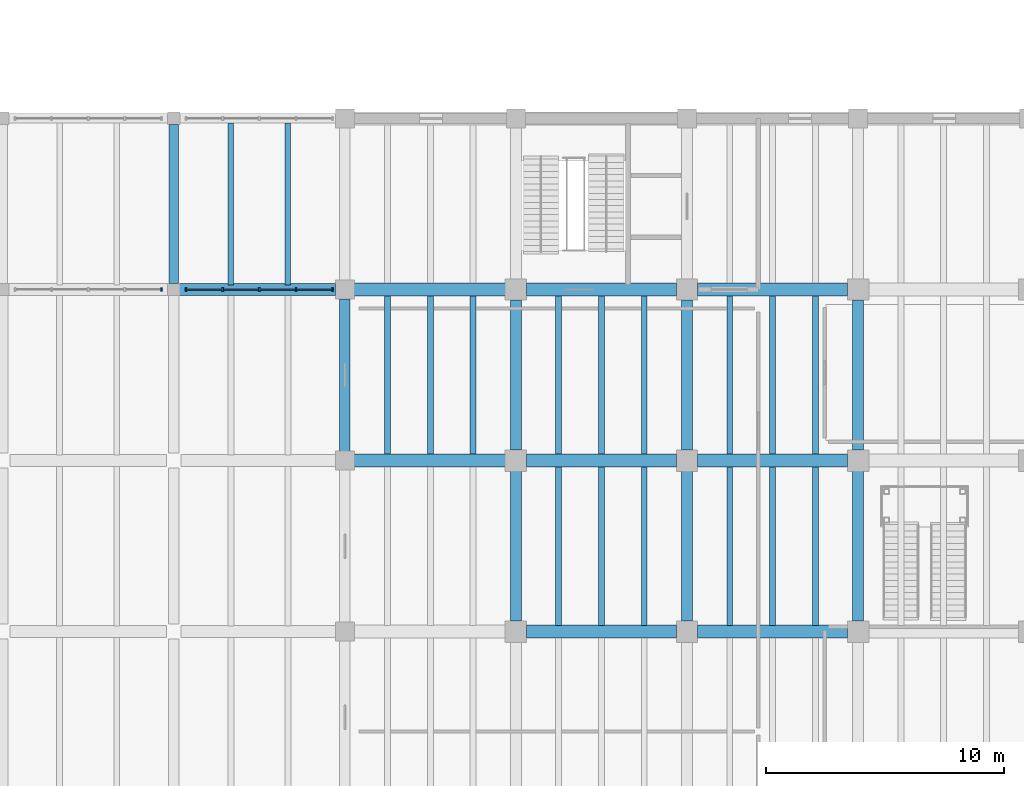
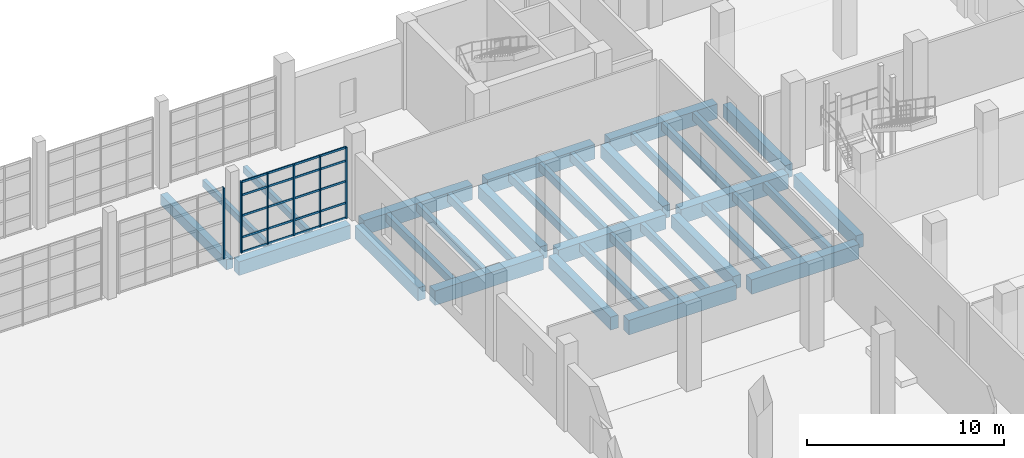
# One storey, part 45 of 79: 34 beams, 26 members, 2 elements without a shape of their own.
"""IFC4 building model written with IfcOpenShell, lengths in metres."""

from ifc_helpers import new_model, si_unit, direction, frame, origin, origin_2d, place, context, subcontext, project, spatial, rectangle, extrude, material, material_profile, profile_set, type_object, element, aggregate, save


model = new_model("IFC4")

# Units and contexts
model_context = context("Model", 3, precision=1e-05, world=origin(), true_north=direction((0.0, 1.0)))
body_context = subcontext(model_context, "Body", "Model", "MODEL_VIEW")
ifc_project = project(units=[si_unit("LENGTHUNIT", "METRE"), si_unit("AREAUNIT", "SQUARE_METRE"), si_unit("VOLUMEUNIT", "CUBIC_METRE"), si_unit("PLANEANGLEUNIT", "RADIAN"), si_unit("MASSUNIT", "GRAM", prefix="KILO")], contexts=[model_context])

# Site, building, storey
site_placement = place(None, origin())
site = spatial("IfcSite", under=ifc_project, at=site_placement, CompositionType="ELEMENT")
building_placement = place(site_placement, origin())
building = spatial("IfcBuilding", under=site, at=building_placement, Name="Qiaolan Assembly House", CompositionType="ELEMENT")
storey_placement = place(building_placement, origin())
storey = spatial("IfcBuildingStorey", under=building, at=storey_placement, Name="L00", CompositionType="ELEMENT", Elevation=0.0)

# Beams
ifc_material_1 = material(Name="Concrete C40/50", Category="concrete")
ifc_material_profile_1 = material_profile(ifc_material_1, rectangle(XDim=0.39990234375, YDim=0.64990234375, at=origin_2d()), Name="RCB 400x650")
ifc_profile_set_1 = profile_set([ifc_material_profile_1], Name="Concrete C40/50")
beam_type_1 = type_object("IfcBeamType", Name="BM-RC-400x650", PredefinedType="BEAM", material=ifc_profile_set_1)
beam_1_placement = place(storey_placement, frame((129.60009765625, 79.449951171875, -0.6650390625), z_axis=(0.0, 1.0, 0.0), x_axis=(-1.0, 0.0, 0.0)))
element("IfcBeam", 1, at=beam_1_placement, inside=storey, type_object=beam_type_1, Name="GB-06 beam BMY-CLN-L00-03-00", PredefinedType="BEAM", context=body_context, shape_type="SweptSolid", body=[
    extrude(rectangle(XDim=0.39990234375, YDim=0.64990234375, at=origin_2d()), origin(), (0.0, 0.0, 1.0), 6.699951171875),
])
ifc_material_profile_2 = material_profile(ifc_material_1, rectangle(XDim=0.449951171875, YDim=0.800048828125, at=origin_2d()), Name="RCB 450x800")
ifc_profile_set_2 = profile_set([ifc_material_profile_2], Name="Concrete C40/50")
beam_type_2 = type_object("IfcBeamType", Name="BM-RC-450x800", PredefinedType="BEAM", material=ifc_profile_set_2)
beam_2_placement = place(storey_placement, frame((136.800048828125, 72.389892578125, -0.739990234375), z_axis=(0.0, 1.0, 0.0), x_axis=(-1.0, 0.0, 0.0)))
element("IfcBeam", 2, at=beam_2_placement, inside=storey, type_object=beam_type_2, Name="GB-03 beam BMY-CLCRT-L00-04-04", PredefinedType="BEAM", context=body_context, shape_type="SweptSolid", body=[
    extrude(rectangle(XDim=0.449951171875, YDim=0.800048828125, at=origin_2d()), origin(), (0.0, 0.0, 1.0), 6.420166015625),
])
for number, where, z_axis, x_axis, name in (
    (3, (144.0, 65.239990234375, -0.739990234375), (0.0, 1.0, 0.0), (-1.0, 0.0, 0.0), "GB-03 beam BMY-LB-L00-01-05"),
    (4, (144.0, 72.43994140625, -0.739990234375), (0.0, 1.0, 0.0), (-1.0, 0.0, 0.0), "GB-03 beam BMY-LB-L00-01-06"),
    (5, (151.199951171875, 65.239990234375, -0.739990234375), (0.0, 1.0, 0.0), (-1.0, 0.0, 0.0), "GB-03 beam BMY-LB-L00-02-05"),
    (6, (151.199951171875, 72.43994140625, -0.739990234375), (0.0, 1.0, 0.0), (-1.0, 0.0, 0.0), "GB-03 beam BMY-LB-L00-02-06"),
    (7, (158.39990234375, 65.239990234375, -0.739990234375), (0.0, 1.0, 0.0), (-1.0, 0.0, 0.0), "GB-03 beam BMY-LB-L00-03-05"),
    (8, (158.39990234375, 72.43994140625, -0.739990234375), (0.0, 1.0, 0.0), (-1.0, 0.0, 0.0), "GB-03 beam BMY-LB-L00-03-06"),
):
    element("IfcBeam", number, at=place(storey_placement, frame(where, z_axis=z_axis, x_axis=x_axis)), inside=storey, type_object=beam_type_2, Name=name, PredefinedType="BEAM", context=body_context, shape_type="SweptSolid", body=[
        extrude(rectangle(XDim=0.449951171875, YDim=0.800048828125, at=origin_2d()), origin(), (0.0, 0.0, 1.0), 6.320068359375),
    ])
ifc_material_2 = material(Name="Concrete C45/55", Category="concrete")
ifc_material_profile_3 = material_profile(ifc_material_2, rectangle(XDim=0.5, YDim=0.85009765625, at=origin_2d()), Name="RCB 500x850")
ifc_profile_set_3 = profile_set([ifc_material_profile_3], Name="Concrete C45/55")
beam_type_3 = type_object("IfcBeamType", Name="BM-RC-500x850", PredefinedType="BEAM", material=ifc_profile_set_3)
beam_3_placement = place(storey_placement, frame((129.85009765625, 79.199951171875, -0.764892578125), z_axis=(1.0, 0.0, 0.0), x_axis=(0.0, 1.0, 0.0)))
element("IfcBeam", 9, at=beam_3_placement, inside=storey, type_object=beam_type_3, Name="GB-02 beam BMX-CLCRT-L00-03-05", PredefinedType="BEAM", context=body_context, shape_type="SweptSolid", body=[
    extrude(rectangle(XDim=0.5, YDim=0.85009765625, at=origin_2d()), origin(), (0.0, 0.0, 1.0), 6.559814453125),
])
ifc_material_profile_4 = material_profile(ifc_material_2, rectangle(XDim=0.550048828125, YDim=0.89990234375, at=origin_2d()), Name="RCB 550x900")
ifc_profile_set_4 = profile_set([ifc_material_profile_4], Name="Concrete C45/55")
beam_type_4 = type_object("IfcBeamType", Name="BM-RC-550x900", PredefinedType="BEAM", material=ifc_profile_set_4)
for number, where, z_axis, x_axis, name in (
    (10, (144.43994140625, 64.800048828125, -0.7900390625), (1.0, 0.0, 0.0), (0.0, 1.0, 0.0), "GB-01 beam BMX-LB-L00-01-05"),
    (11, (151.639892578125, 64.800048828125, -0.7900390625), (1.0, 0.0, 0.0), (0.0, 1.0, 0.0), "GB-01 beam BMX-LB-L00-02-05"),
):
    element("IfcBeam", number, at=place(storey_placement, frame(where, z_axis=z_axis, x_axis=x_axis)), inside=storey, type_object=beam_type_4, Name=name, PredefinedType="BEAM", context=body_context, shape_type="SweptSolid", body=[
        extrude(rectangle(XDim=0.550048828125, YDim=0.89990234375, at=origin_2d()), origin(), (0.0, 0.0, 1.0), 6.320068359375),
    ])
beam_4_placement = place(storey_placement, frame((137.18994140625, 72.0, -0.7900390625), z_axis=(1.0, 0.0, 0.0), x_axis=(0.0, 1.0, 0.0)))
element("IfcBeam", 12, at=beam_4_placement, inside=storey, type_object=beam_type_4, Name="GB-01 beam BMX-LB-L00-00-06", PredefinedType="BEAM", context=body_context, shape_type="SweptSolid", body=[
    extrude(rectangle(XDim=0.550048828125, YDim=0.89990234375, at=origin_2d()), origin(), (0.0, 0.0, 1.0), 6.3701171875),
])
for number, where, z_axis, x_axis, name in (
    (13, (144.43994140625, 72.0, -0.7900390625), (1.0, 0.0, 0.0), (0.0, 1.0, 0.0), "GB-01 beam BMX-LB-L00-01-06"),
    (14, (151.639892578125, 72.0, -0.7900390625), (1.0, 0.0, 0.0), (0.0, 1.0, 0.0), "GB-01 beam BMX-LB-L00-02-06"),
):
    element("IfcBeam", number, at=place(storey_placement, frame(where, z_axis=z_axis, x_axis=x_axis)), inside=storey, type_object=beam_type_4, Name=name, PredefinedType="BEAM", context=body_context, shape_type="SweptSolid", body=[
        extrude(rectangle(XDim=0.550048828125, YDim=0.89990234375, at=origin_2d()), origin(), (0.0, 0.0, 1.0), 6.320068359375),
    ])
beam_5_placement = place(storey_placement, frame((137.18994140625, 79.199951171875, -0.7900390625), z_axis=(1.0, 0.0, 0.0), x_axis=(0.0, 1.0, 0.0)))
element("IfcBeam", 15, at=beam_5_placement, inside=storey, type_object=beam_type_4, Name="GB-01 beam BMX-LB-L00-00-07", PredefinedType="BEAM", context=body_context, shape_type="SweptSolid", body=[
    extrude(rectangle(XDim=0.550048828125, YDim=0.89990234375, at=origin_2d()), origin(), (0.0, 0.0, 1.0), 6.3701171875),
])
for number, where, z_axis, x_axis, name in (
    (16, (144.43994140625, 79.199951171875, -0.7900390625), (1.0, 0.0, 0.0), (0.0, 1.0, 0.0), "GB-01 beam BMX-LB-L00-01-07"),
    (17, (151.639892578125, 79.199951171875, -0.7900390625), (1.0, 0.0, 0.0), (0.0, 1.0, 0.0), "GB-01 beam BMX-LB-L00-02-07"),
):
    element("IfcBeam", number, at=place(storey_placement, frame(where, z_axis=z_axis, x_axis=x_axis)), inside=storey, type_object=beam_type_4, Name=name, PredefinedType="BEAM", context=body_context, shape_type="SweptSolid", body=[
        extrude(rectangle(XDim=0.550048828125, YDim=0.89990234375, at=origin_2d()), origin(), (0.0, 0.0, 1.0), 6.320068359375),
    ])

# Curtain wall, member
ifc_material_3 = material(Name="Anodised bronze aluminium", Category="aluminium")
curtain_wall_type = type_object("IfcCurtainWallType", Name="CW-CLOISTER-420", PredefinedType="NOTDEFINED", material=ifc_material_3)
curtain_wall_1_placement = place(storey_placement, origin())
curtain_wall_1 = element("IfcCurtainWall", 18, at=curtain_wall_1_placement, inside=storey, type_object=curtain_wall_type, Name="CW-05 North Cloister court arcade L00-3", PredefinedType="NOTDEFINED")
ifc_material_profile_5 = material_profile(ifc_material_3, rectangle(XDim=0.070068359375, YDim=0.155029296875, at=origin_2d()), Name="MUL 70x155")
ifc_profile_set_5 = profile_set([ifc_material_profile_5], Name="Anodised bronze aluminium")
member_type_1 = type_object("IfcMemberType", Name="CW-CLOISTER-420-MUL", PredefinedType="MULLION", material=ifc_profile_set_5)
member_1_placement = place(storey_placement, frame((129.080078125, 79.199951171875, 0.0), z_axis=(0.0, 0.0, 1.0), x_axis=(1.0, 0.0, 0.0)))
member_1 = element("IfcMember", 19, at=member_1_placement, type_object=member_type_1, Name="ML-06 mullion CW-CLN-CRT-L00-2-5", PredefinedType="MULLION", context=body_context, shape_type="SweptSolid", body=[
    extrude(rectangle(XDim=0.070068359375, YDim=0.155029296875, at=origin_2d()), origin(), (0.0, 0.0, 1.0), 4.419921875),
])
aggregate(curtain_wall_1, [member_1])

# Curtain wall, members
curtain_wall_2_placement = place(storey_placement, origin())
curtain_wall_2 = element("IfcCurtainWall", 20, at=curtain_wall_2_placement, inside=storey, type_object=curtain_wall_type, Name="CW-05 North Cloister court arcade L00-4", PredefinedType="NOTDEFINED")
member_2_placement = place(storey_placement, frame((130.1201171875, 79.199951171875, 0.0), z_axis=(0.0, 0.0, 1.0), x_axis=(1.0, 0.0, 0.0)))
member_2 = element("IfcMember", 21, at=member_2_placement, type_object=member_type_1, Name="ML-06 mullion CW-CLN-CRT-L00-3-1", PredefinedType="MULLION", context=body_context, shape_type="SweptSolid", body=[
    extrude(rectangle(XDim=0.070068359375, YDim=0.155029296875, at=origin_2d()), origin(), (0.0, 0.0, 1.0), 4.419921875),
])
member_3_placement = place(storey_placement, frame((131.659912109375, 79.199951171875, 0.0), z_axis=(0.0, 0.0, 1.0), x_axis=(1.0, 0.0, 0.0)))
member_3 = element("IfcMember", 22, at=member_3_placement, type_object=member_type_1, Name="ML-06 mullion CW-CLN-CRT-L00-3-2", PredefinedType="MULLION", context=body_context, shape_type="SweptSolid", body=[
    extrude(rectangle(XDim=0.070068359375, YDim=0.155029296875, at=origin_2d()), origin(), (0.0, 0.0, 1.0), 4.419921875),
])
member_4_placement = place(storey_placement, frame((133.199951171875, 79.199951171875, 0.0), z_axis=(0.0, 0.0, 1.0), x_axis=(1.0, 0.0, 0.0)))
member_4 = element("IfcMember", 23, at=member_4_placement, type_object=member_type_1, Name="ML-06 mullion CW-CLN-CRT-L00-3-3", PredefinedType="MULLION", context=body_context, shape_type="SweptSolid", body=[
    extrude(rectangle(XDim=0.070068359375, YDim=0.155029296875, at=origin_2d()), origin(), (0.0, 0.0, 1.0), 4.419921875),
])
member_5_placement = place(storey_placement, frame((134.739990234375, 79.199951171875, 0.0), z_axis=(0.0, 0.0, 1.0), x_axis=(1.0, 0.0, 0.0)))
member_5 = element("IfcMember", 24, at=member_5_placement, type_object=member_type_1, Name="ML-06 mullion CW-CLN-CRT-L00-3-4", PredefinedType="MULLION", context=body_context, shape_type="SweptSolid", body=[
    extrude(rectangle(XDim=0.070068359375, YDim=0.155029296875, at=origin_2d()), origin(), (0.0, 0.0, 1.0), 4.419921875),
])
member_6_placement = place(storey_placement, frame((136.280029296875, 79.199951171875, 0.0), z_axis=(0.0, 0.0, 1.0), x_axis=(1.0, 0.0, 0.0)))
member_6 = element("IfcMember", 25, at=member_6_placement, type_object=member_type_1, Name="ML-06 mullion CW-CLN-CRT-L00-3-5", PredefinedType="MULLION", context=body_context, shape_type="SweptSolid", body=[
    extrude(rectangle(XDim=0.070068359375, YDim=0.155029296875, at=origin_2d()), origin(), (0.0, 0.0, 1.0), 4.419921875),
])
ifc_material_profile_6 = material_profile(ifc_material_3, rectangle(XDim=0.06201171875, YDim=0.125, at=origin_2d()), Name="TRN 62x125")
ifc_profile_set_6 = profile_set([ifc_material_profile_6], Name="Anodised bronze aluminium")
member_type_2 = type_object("IfcMemberType", Name="CW-CLOISTER-420-TRN", PredefinedType="USERDEFINED", material=ifc_profile_set_6)
member_7_placement = place(storey_placement, frame((130.155029296875, 79.199951171875, 0.030029296875), z_axis=(1.0, 0.0, 0.0), x_axis=(0.0, 1.0, 0.0)))
member_7 = element("IfcMember", 26, at=member_7_placement, type_object=member_type_2, Name="TR-06 transom CW-CLN-CRT-L00-3-1-1", ObjectType="TRANSOM", PredefinedType="USERDEFINED", context=body_context, shape_type="SweptSolid", body=[
    extrude(rectangle(XDim=0.06201171875, YDim=0.125, at=origin_2d()), origin(), (0.0, 0.0, 1.0), 1.469970703125),
])
member_8_placement = place(storey_placement, frame((130.155029296875, 79.199951171875, 0.949951171875), z_axis=(1.0, 0.0, 0.0), x_axis=(0.0, 1.0, 0.0)))
member_8 = element("IfcMember", 27, at=member_8_placement, type_object=member_type_2, Name="TR-06 transom CW-CLN-CRT-L00-3-1-2", ObjectType="TRANSOM", PredefinedType="USERDEFINED", context=body_context, shape_type="SweptSolid", body=[
    extrude(rectangle(XDim=0.06201171875, YDim=0.125, at=origin_2d()), origin(), (0.0, 0.0, 1.0), 1.469970703125),
])
member_9_placement = place(storey_placement, frame((130.155029296875, 79.199951171875, 2.29833984375), z_axis=(1.0, 0.0, 0.0), x_axis=(0.0, 1.0, 0.0)))
member_9 = element("IfcMember", 28, at=member_9_placement, type_object=member_type_2, Name="TR-06 transom CW-CLN-CRT-L00-3-1-3", ObjectType="TRANSOM", PredefinedType="USERDEFINED", context=body_context, shape_type="SweptSolid", body=[
    extrude(rectangle(XDim=0.06201171875, YDim=0.125, at=origin_2d()), origin(), (0.0, 0.0, 1.0), 1.469970703125),
])
member_10_placement = place(storey_placement, frame((130.155029296875, 79.199951171875, 3.570068359375), z_axis=(1.0, 0.0, 0.0), x_axis=(0.0, 1.0, 0.0)))
member_10 = element("IfcMember", 29, at=member_10_placement, type_object=member_type_2, Name="TR-06 transom CW-CLN-CRT-L00-3-1-4", ObjectType="TRANSOM", PredefinedType="USERDEFINED", context=body_context, shape_type="SweptSolid", body=[
    extrude(rectangle(XDim=0.06201171875, YDim=0.125, at=origin_2d()), origin(), (0.0, 0.0, 1.0), 1.469970703125),
])
member_11_placement = place(storey_placement, frame((130.155029296875, 79.199951171875, 4.389892578125), z_axis=(1.0, 0.0, 0.0), x_axis=(0.0, 1.0, 0.0)))
member_11 = element("IfcMember", 30, at=member_11_placement, type_object=member_type_2, Name="TR-06 transom CW-CLN-CRT-L00-3-1-5", ObjectType="TRANSOM", PredefinedType="USERDEFINED", context=body_context, shape_type="SweptSolid", body=[
    extrude(rectangle(XDim=0.06201171875, YDim=0.125, at=origin_2d()), origin(), (0.0, 0.0, 1.0), 1.469970703125),
])
member_12_placement = place(storey_placement, frame((131.695068359375, 79.199951171875, 0.030029296875), z_axis=(1.0, 0.0, 0.0), x_axis=(0.0, 1.0, 0.0)))
member_12 = element("IfcMember", 31, at=member_12_placement, type_object=member_type_2, Name="TR-06 transom CW-CLN-CRT-L00-3-2-1", ObjectType="TRANSOM", PredefinedType="USERDEFINED", context=body_context, shape_type="SweptSolid", body=[
    extrude(rectangle(XDim=0.06201171875, YDim=0.125, at=origin_2d()), origin(), (0.0, 0.0, 1.0), 1.469970703125),
])
member_13_placement = place(storey_placement, frame((131.695068359375, 79.199951171875, 0.949951171875), z_axis=(1.0, 0.0, 0.0), x_axis=(0.0, 1.0, 0.0)))
member_13 = element("IfcMember", 32, at=member_13_placement, type_object=member_type_2, Name="TR-06 transom CW-CLN-CRT-L00-3-2-2", ObjectType="TRANSOM", PredefinedType="USERDEFINED", context=body_context, shape_type="SweptSolid", body=[
    extrude(rectangle(XDim=0.06201171875, YDim=0.125, at=origin_2d()), origin(), (0.0, 0.0, 1.0), 1.469970703125),
])
member_14_placement = place(storey_placement, frame((131.695068359375, 79.199951171875, 2.29833984375), z_axis=(1.0, 0.0, 0.0), x_axis=(0.0, 1.0, 0.0)))
member_14 = element("IfcMember", 33, at=member_14_placement, type_object=member_type_2, Name="TR-06 transom CW-CLN-CRT-L00-3-2-3", ObjectType="TRANSOM", PredefinedType="USERDEFINED", context=body_context, shape_type="SweptSolid", body=[
    extrude(rectangle(XDim=0.06201171875, YDim=0.125, at=origin_2d()), origin(), (0.0, 0.0, 1.0), 1.469970703125),
])
member_15_placement = place(storey_placement, frame((131.695068359375, 79.199951171875, 3.570068359375), z_axis=(1.0, 0.0, 0.0), x_axis=(0.0, 1.0, 0.0)))
member_15 = element("IfcMember", 34, at=member_15_placement, type_object=member_type_2, Name="TR-06 transom CW-CLN-CRT-L00-3-2-4", ObjectType="TRANSOM", PredefinedType="USERDEFINED", context=body_context, shape_type="SweptSolid", body=[
    extrude(rectangle(XDim=0.06201171875, YDim=0.125, at=origin_2d()), origin(), (0.0, 0.0, 1.0), 1.469970703125),
])
member_16_placement = place(storey_placement, frame((131.695068359375, 79.199951171875, 4.389892578125), z_axis=(1.0, 0.0, 0.0), x_axis=(0.0, 1.0, 0.0)))
member_16 = element("IfcMember", 35, at=member_16_placement, type_object=member_type_2, Name="TR-06 transom CW-CLN-CRT-L00-3-2-5", ObjectType="TRANSOM", PredefinedType="USERDEFINED", context=body_context, shape_type="SweptSolid", body=[
    extrude(rectangle(XDim=0.06201171875, YDim=0.125, at=origin_2d()), origin(), (0.0, 0.0, 1.0), 1.469970703125),
])
member_17_placement = place(storey_placement, frame((133.235107421875, 79.199951171875, 0.030029296875), z_axis=(1.0, 0.0, 0.0), x_axis=(0.0, 1.0, 0.0)))
member_17 = element("IfcMember", 36, at=member_17_placement, type_object=member_type_2, Name="TR-06 transom CW-CLN-CRT-L00-3-3-1", ObjectType="TRANSOM", PredefinedType="USERDEFINED", context=body_context, shape_type="SweptSolid", body=[
    extrude(rectangle(XDim=0.06201171875, YDim=0.125, at=origin_2d()), origin(), (0.0, 0.0, 1.0), 1.469970703125),
])
member_18_placement = place(storey_placement, frame((133.235107421875, 79.199951171875, 0.949951171875), z_axis=(1.0, 0.0, 0.0), x_axis=(0.0, 1.0, 0.0)))
member_18 = element("IfcMember", 37, at=member_18_placement, type_object=member_type_2, Name="TR-06 transom CW-CLN-CRT-L00-3-3-2", ObjectType="TRANSOM", PredefinedType="USERDEFINED", context=body_context, shape_type="SweptSolid", body=[
    extrude(rectangle(XDim=0.06201171875, YDim=0.125, at=origin_2d()), origin(), (0.0, 0.0, 1.0), 1.469970703125),
])
member_19_placement = place(storey_placement, frame((133.235107421875, 79.199951171875, 2.29833984375), z_axis=(1.0, 0.0, 0.0), x_axis=(0.0, 1.0, 0.0)))
member_19 = element("IfcMember", 38, at=member_19_placement, type_object=member_type_2, Name="TR-06 transom CW-CLN-CRT-L00-3-3-3", ObjectType="TRANSOM", PredefinedType="USERDEFINED", context=body_context, shape_type="SweptSolid", body=[
    extrude(rectangle(XDim=0.06201171875, YDim=0.125, at=origin_2d()), origin(), (0.0, 0.0, 1.0), 1.469970703125),
])
member_20_placement = place(storey_placement, frame((133.235107421875, 79.199951171875, 3.570068359375), z_axis=(1.0, 0.0, 0.0), x_axis=(0.0, 1.0, 0.0)))
member_20 = element("IfcMember", 39, at=member_20_placement, type_object=member_type_2, Name="TR-06 transom CW-CLN-CRT-L00-3-3-4", ObjectType="TRANSOM", PredefinedType="USERDEFINED", context=body_context, shape_type="SweptSolid", body=[
    extrude(rectangle(XDim=0.06201171875, YDim=0.125, at=origin_2d()), origin(), (0.0, 0.0, 1.0), 1.469970703125),
])
member_21_placement = place(storey_placement, frame((133.235107421875, 79.199951171875, 4.389892578125), z_axis=(1.0, 0.0, 0.0), x_axis=(0.0, 1.0, 0.0)))
member_21 = element("IfcMember", 40, at=member_21_placement, type_object=member_type_2, Name="TR-06 transom CW-CLN-CRT-L00-3-3-5", ObjectType="TRANSOM", PredefinedType="USERDEFINED", context=body_context, shape_type="SweptSolid", body=[
    extrude(rectangle(XDim=0.06201171875, YDim=0.125, at=origin_2d()), origin(), (0.0, 0.0, 1.0), 1.469970703125),
])
member_22_placement = place(storey_placement, frame((134.77490234375, 79.199951171875, 0.030029296875), z_axis=(1.0, 0.0, 0.0), x_axis=(0.0, 1.0, 0.0)))
member_22 = element("IfcMember", 41, at=member_22_placement, type_object=member_type_2, Name="TR-06 transom CW-CLN-CRT-L00-3-4-1", ObjectType="TRANSOM", PredefinedType="USERDEFINED", context=body_context, shape_type="SweptSolid", body=[
    extrude(rectangle(XDim=0.06201171875, YDim=0.125, at=origin_2d()), origin(), (0.0, 0.0, 1.0), 1.47021484375),
])
member_23_placement = place(storey_placement, frame((134.77490234375, 79.199951171875, 0.949951171875), z_axis=(1.0, 0.0, 0.0), x_axis=(0.0, 1.0, 0.0)))
member_23 = element("IfcMember", 42, at=member_23_placement, type_object=member_type_2, Name="TR-06 transom CW-CLN-CRT-L00-3-4-2", ObjectType="TRANSOM", PredefinedType="USERDEFINED", context=body_context, shape_type="SweptSolid", body=[
    extrude(rectangle(XDim=0.06201171875, YDim=0.125, at=origin_2d()), origin(), (0.0, 0.0, 1.0), 1.47021484375),
])
member_24_placement = place(storey_placement, frame((134.77490234375, 79.199951171875, 2.29833984375), z_axis=(1.0, 0.0, 0.0), x_axis=(0.0, 1.0, 0.0)))
member_24 = element("IfcMember", 43, at=member_24_placement, type_object=member_type_2, Name="TR-06 transom CW-CLN-CRT-L00-3-4-3", ObjectType="TRANSOM", PredefinedType="USERDEFINED", context=body_context, shape_type="SweptSolid", body=[
    extrude(rectangle(XDim=0.06201171875, YDim=0.125, at=origin_2d()), origin(), (0.0, 0.0, 1.0), 1.47021484375),
])
member_25_placement = place(storey_placement, frame((134.77490234375, 79.199951171875, 3.570068359375), z_axis=(1.0, 0.0, 0.0), x_axis=(0.0, 1.0, 0.0)))
member_25 = element("IfcMember", 44, at=member_25_placement, type_object=member_type_2, Name="TR-06 transom CW-CLN-CRT-L00-3-4-4", ObjectType="TRANSOM", PredefinedType="USERDEFINED", context=body_context, shape_type="SweptSolid", body=[
    extrude(rectangle(XDim=0.06201171875, YDim=0.125, at=origin_2d()), origin(), (0.0, 0.0, 1.0), 1.47021484375),
])
member_26_placement = place(storey_placement, frame((134.77490234375, 79.199951171875, 4.389892578125), z_axis=(1.0, 0.0, 0.0), x_axis=(0.0, 1.0, 0.0)))
member_26 = element("IfcMember", 45, at=member_26_placement, type_object=member_type_2, Name="TR-06 transom CW-CLN-CRT-L00-3-4-5", ObjectType="TRANSOM", PredefinedType="USERDEFINED", context=body_context, shape_type="SweptSolid", body=[
    extrude(rectangle(XDim=0.06201171875, YDim=0.125, at=origin_2d()), origin(), (0.0, 0.0, 1.0), 1.47021484375),
])
aggregate(curtain_wall_2, [member_2, member_3, member_4, member_5, member_6, member_7, member_8, member_9, member_10, member_11, member_12, member_13, member_14, member_15, member_16, member_17, member_18, member_19, member_20, member_21, member_22, member_23, member_24, member_25, member_26])

# Beams
ifc_material_profile_7 = material_profile(ifc_material_1, rectangle(XDim=0.219970703125, YDim=0.419921875, at=origin_2d()), Name="RCB 220x420")
ifc_profile_set_7 = profile_set([ifc_material_profile_7], Name="Concrete C40/50")
beam_type_5 = type_object("IfcBeamType", Name="JST-RC-220x420", PredefinedType="JOIST", material=ifc_profile_set_7)
for number, where, z_axis, x_axis, name in (
    (46, (132.0, 79.39404296875, -0.550048828125), (0.0, 1.0, 0.0), (-1.0, 0.0, 0.0), "RJ-03 beam JST-CLN-L00-03-00-1"),
    (47, (134.39990234375, 79.39404296875, -0.550048828125), (0.0, 1.0, 0.0), (-1.0, 0.0, 0.0), "RJ-03 beam JST-CLN-L00-03-00-2"),
):
    element("IfcBeam", number, at=place(storey_placement, frame(where, z_axis=z_axis, x_axis=x_axis)), inside=storey, type_object=beam_type_5, Name=name, PredefinedType="JOIST", context=body_context, shape_type="SweptSolid", body=[
        extrude(rectangle(XDim=0.219970703125, YDim=0.419921875, at=origin_2d()), origin(), (0.0, 0.0, 1.0), 6.81201171875),
    ])
ifc_material_profile_8 = material_profile(ifc_material_1, rectangle(XDim=0.25, YDim=0.5, at=origin_2d()), Name="RCB 250x500")
ifc_profile_set_8 = profile_set([ifc_material_profile_8], Name="Concrete C40/50")
beam_type_6 = type_object("IfcBeamType", Name="JST-RC-250x500", PredefinedType="JOIST", material=ifc_profile_set_8)
for number, where, z_axis, x_axis, name in (
    (48, (138.60009765625, 72.26904296875, -0.590087890625), (0.0, 1.0, 0.0), (-1.0, 0.0, 0.0), "RJ-01 beam JST-LB-L00-00-06-1"),
    (49, (140.39990234375, 72.26904296875, -0.590087890625), (0.0, 1.0, 0.0), (-1.0, 0.0, 0.0), "RJ-01 beam JST-LB-L00-00-06-2"),
    (50, (142.199951171875, 72.26904296875, -0.590087890625), (0.0, 1.0, 0.0), (-1.0, 0.0, 0.0), "RJ-01 beam JST-LB-L00-00-06-3"),
    (51, (145.800048828125, 65.069091796875, -0.590087890625), (0.0, 1.0, 0.0), (-1.0, 0.0, 0.0), "RJ-01 beam JST-LB-L00-01-05-1"),
    (52, (147.60009765625, 65.069091796875, -0.590087890625), (0.0, 1.0, 0.0), (-1.0, 0.0, 0.0), "RJ-01 beam JST-LB-L00-01-05-2"),
    (53, (149.39990234375, 65.069091796875, -0.590087890625), (0.0, 1.0, 0.0), (-1.0, 0.0, 0.0), "RJ-01 beam JST-LB-L00-01-05-3"),
    (54, (145.800048828125, 72.26904296875, -0.590087890625), (0.0, 1.0, 0.0), (-1.0, 0.0, 0.0), "RJ-01 beam JST-LB-L00-01-06-1"),
    (55, (147.60009765625, 72.26904296875, -0.590087890625), (0.0, 1.0, 0.0), (-1.0, 0.0, 0.0), "RJ-01 beam JST-LB-L00-01-06-2"),
    (56, (149.39990234375, 72.26904296875, -0.590087890625), (0.0, 1.0, 0.0), (-1.0, 0.0, 0.0), "RJ-01 beam JST-LB-L00-01-06-3"),
    (57, (153.0, 65.069091796875, -0.590087890625), (0.0, 1.0, 0.0), (-1.0, 0.0, 0.0), "RJ-01 beam JST-LB-L00-02-05-1"),
    (58, (154.800048828125, 65.069091796875, -0.590087890625), (0.0, 1.0, 0.0), (-1.0, 0.0, 0.0), "RJ-01 beam JST-LB-L00-02-05-2"),
    (59, (156.60009765625, 65.069091796875, -0.590087890625), (0.0, 1.0, 0.0), (-1.0, 0.0, 0.0), "RJ-01 beam JST-LB-L00-02-05-3"),
    (60, (153.0, 72.26904296875, -0.590087890625), (0.0, 1.0, 0.0), (-1.0, 0.0, 0.0), "RJ-01 beam JST-LB-L00-02-06-1"),
    (61, (154.800048828125, 72.26904296875, -0.590087890625), (0.0, 1.0, 0.0), (-1.0, 0.0, 0.0), "RJ-01 beam JST-LB-L00-02-06-2"),
    (62, (156.60009765625, 72.26904296875, -0.590087890625), (0.0, 1.0, 0.0), (-1.0, 0.0, 0.0), "RJ-01 beam JST-LB-L00-02-06-3"),
):
    element("IfcBeam", number, at=place(storey_placement, frame(where, z_axis=z_axis, x_axis=x_axis)), inside=storey, type_object=beam_type_6, Name=name, PredefinedType="JOIST", context=body_context, shape_type="SweptSolid", body=[
        extrude(rectangle(XDim=0.25, YDim=0.5, at=origin_2d()), origin(), (0.0, 0.0, 1.0), 6.661865234375),
    ])

save(model, "model.ifc")
